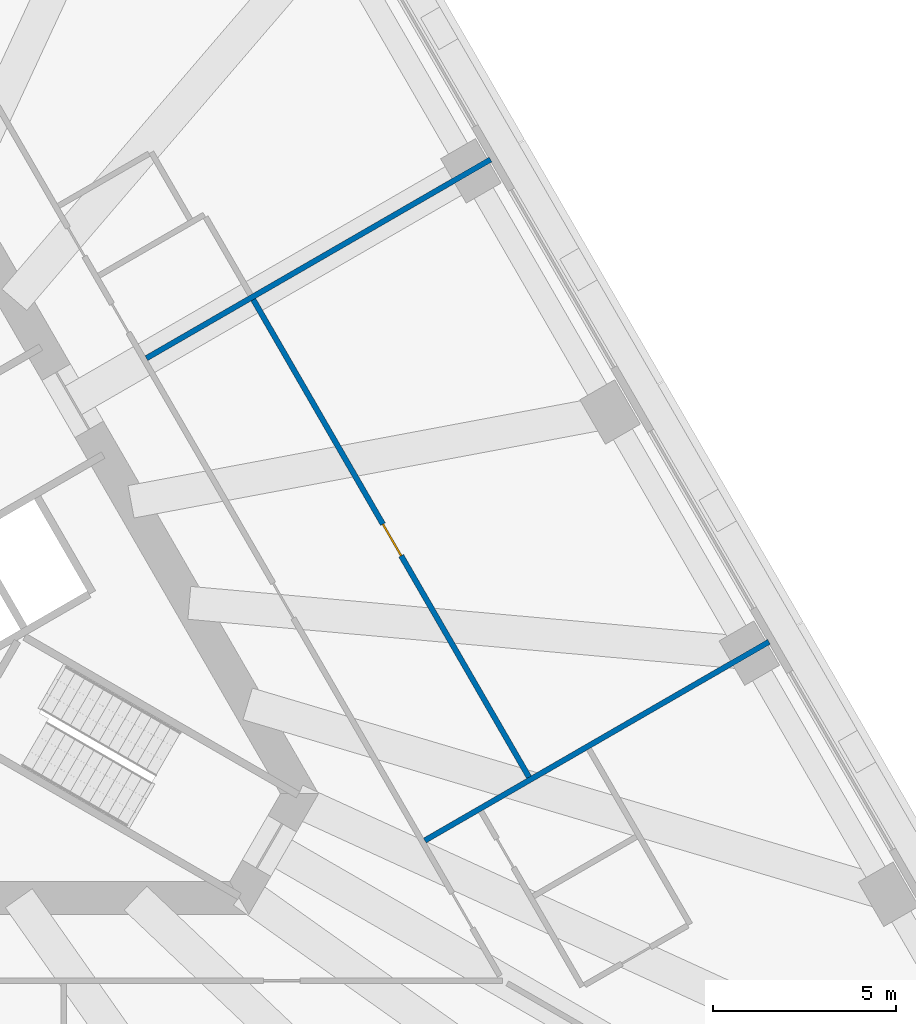
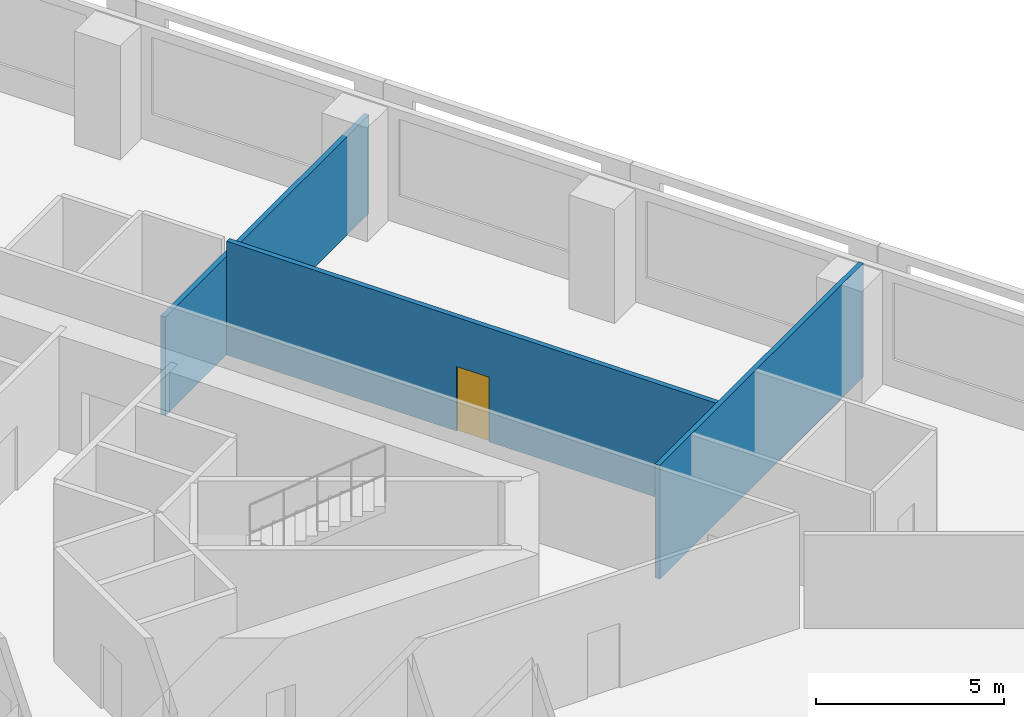
# One storey, part 7 of 11: 3 walls, 1 door, 1 opening.
"""IFC4 building model written with IfcOpenShell, lengths in metres."""

from ifc_helpers import new_model, si_unit, direction, frame, frame_2d, origin, place, context, subcontext, project, spatial, rectangle, extrude, material, layer, layer_set, type_object, element, fill, save


model = new_model("IFC4")

# Units and contexts
model_context = context("Model", 3, precision=1e-05, world=origin(), true_north=direction((0.0, 1.0)))
body_context = subcontext(model_context, "Body", "Model", "MODEL_VIEW")
ifc_project = project(units=[si_unit("LENGTHUNIT", "METRE"), si_unit("AREAUNIT", "SQUARE_METRE"), si_unit("VOLUMEUNIT", "CUBIC_METRE"), si_unit("PLANEANGLEUNIT", "RADIAN"), si_unit("MASSUNIT", "GRAM", prefix="KILO")], contexts=[model_context])

# Site, building, storey
site_placement = place(None, origin())
site = spatial("IfcSite", under=ifc_project, at=site_placement, CompositionType="ELEMENT")
building_placement = place(site_placement, origin())
building = spatial("IfcBuilding", under=site, at=building_placement, Name="Triada Interchange Tower", CompositionType="ELEMENT")
storey_placement = place(building_placement, frame((0.0, 0.0, 39.300048828125)))
storey = spatial("IfcBuildingStorey", under=building, at=storey_placement, Name="L07", CompositionType="ELEMENT", Elevation=39.300048828125)

# Walls
ifc_material_1 = material(Name="Gypsum board partition")
ifc_layer_1 = layer(ifc_material_1, 0.14990234375)
ifc_layer_set_1 = layer_set([ifc_layer_1], Name="PARTITION 150 EI 180")
wall_type_1 = type_object("IfcWallType", Name="PARTITION 150 EI 180", PredefinedType="PARTITIONING", material=ifc_layer_set_1)
wall_1_placement = place(storey_placement, frame((9.85107421875, 5.68701171875, 0.0), z_axis=(0.0, 0.0, 1.0), x_axis=(0.865997012005, 0.50004917278, 0.0)))
element("IfcWall", 1, at=wall_1_placement, inside=storey, type_object=wall_type_1, Name="Wall L06 2", PredefinedType="PARTITIONING", context=body_context, shape_type="SweptSolid", body=[
    extrude(rectangle(XDim=10.84521484375, YDim=0.14990234375, at=frame_2d((5.422607421875, 0.0))), origin(), (0.0, 0.0, 1.0), 3.199951171875),
])
wall_2_placement = place(storey_placement, frame((17.450927734375, -7.47607421875, 0.0), z_axis=(0.0, 0.0, 1.0), x_axis=(0.866002640836, 0.50003942451, 0.0)))
element("IfcWall", 2, at=wall_2_placement, inside=storey, type_object=wall_type_1, Name="Wall L06 32", PredefinedType="PARTITIONING", context=body_context, shape_type="SweptSolid", body=[
    extrude(rectangle(XDim=10.84521484375, YDim=0.14990234375, at=frame_2d((5.422607421875, 0.0))), origin(), (0.0, 0.0, 1.0), 3.699951171875),
])

# Wall, opening, door
ifc_layer_2 = layer(ifc_material_1, 0.14990234375)
ifc_layer_set_2 = layer_set([ifc_layer_2], Name="PARTITION 150 EI 90")
wall_type_2 = type_object("IfcWallType", Name="PARTITION 150 EI 90", PredefinedType="PARTITIONING", material=ifc_layer_set_2)
wall_3_placement = place(storey_placement, frame((12.76806640625, 7.284912109375, 0.0), z_axis=(0.0, 0.0, 1.0), x_axis=(0.500015945769, -0.866016197294, 0.0)))
wall_3 = element("IfcWall", 3, at=wall_3_placement, inside=storey, type_object=wall_type_2, Name="Wall L06 41", PredefinedType="PARTITIONING", context=body_context, shape_type="SweptSolid", body=[
    extrude(rectangle(XDim=15.04931640625, YDim=0.14990234375, at=frame_2d((7.524658203125, 0.0))), origin(), (0.0, 0.0, 1.0), 3.699951171875),
])
opening_placement = place(wall_3_placement, frame((7.073974609375, 0.0, 0.0)))
opening = element("IfcOpeningElement", 4, at=opening_placement, cuts=wall_3, Name="Opening D06-26", PredefinedType="OPENING", context=body_context, shape_type="SweptSolid", body=[
    extrude(rectangle(XDim=1.0, YDim=2.10009765625, at=frame_2d((0.5, 1.050048828125))), frame((0.0, 0.0849609375, 0.0), z_axis=(0.0, -1.0, 0.0), x_axis=(1.0, 0.0, 0.0)), (0.0, 0.0, 1.0), 0.169921875),
])
ifc_material_2 = material(Name="Steel S235 door leaf", Category="steel")
door_type = type_object("IfcDoorType", Name="ROOM DOOR 1000 EI2 45-C5S200", OperationType="NOTDEFINED", PredefinedType="DOOR", material=ifc_material_2)
door_placement = place(opening_placement, origin())
door = element("IfcDoor", 5, at=door_placement, inside=storey, type_object=door_type, Name="Door D06-26 L07", OperationType="SINGLE_SWING_LEFT", OverallHeight=2.10009765625, OverallWidth=1.0, PredefinedType="DOOR", context=body_context, shape_type="SweptSolid", body=[
    extrude(rectangle(XDim=1.0, YDim=2.10009765625, at=frame_2d((0.5, 1.050048828125))), frame((0.0, 0.02490234375, 0.0), z_axis=(0.0, -1.0, 0.0), x_axis=(1.0, 0.0, 0.0)), (0.0, 0.0, 1.0), 0.050048828125),
])
fill(opening, door)

save(model, "model.ifc")
